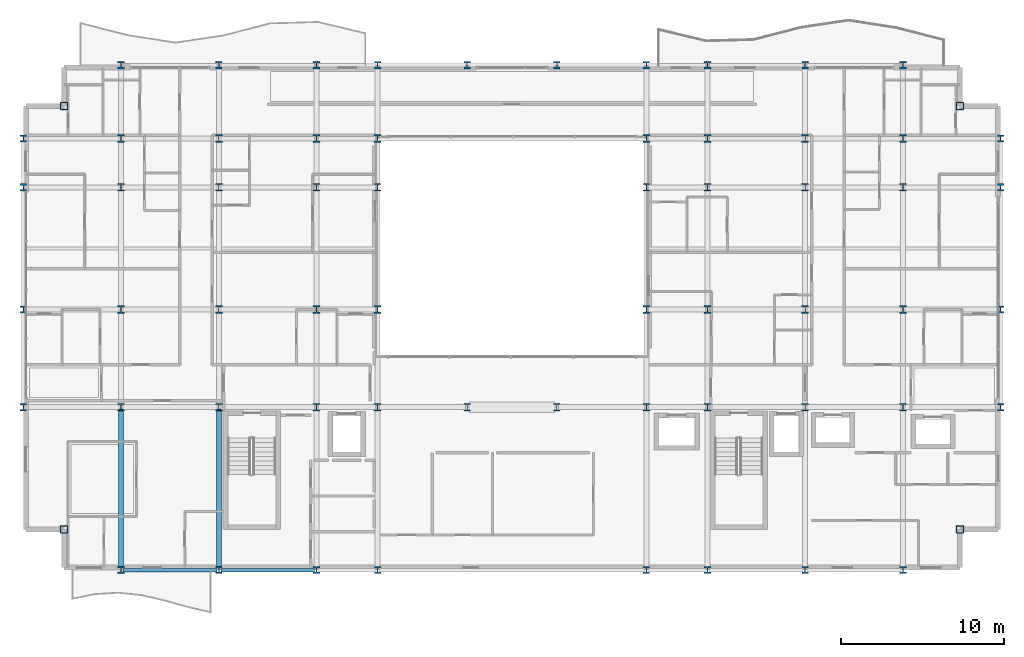
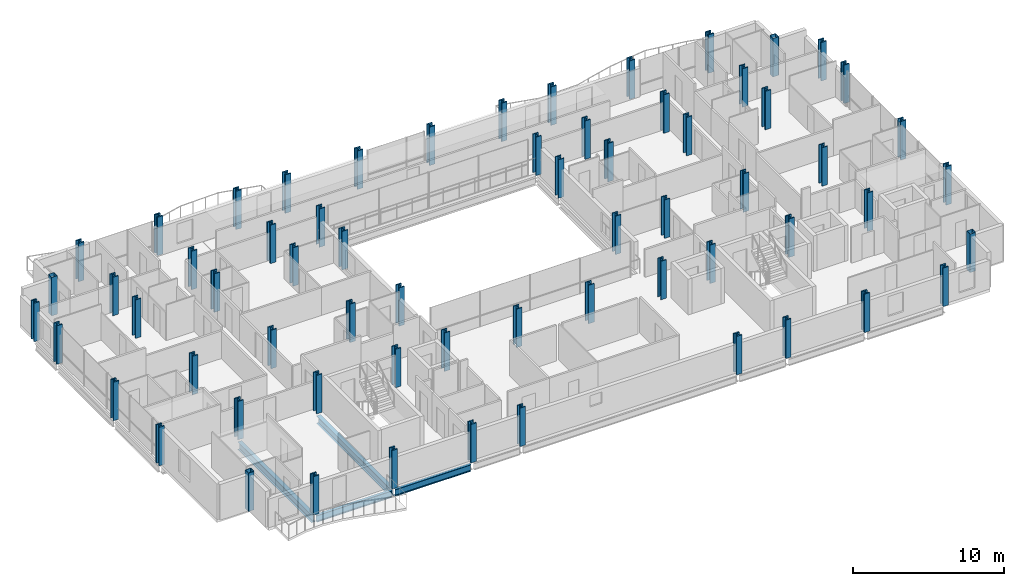
# One storey, part 1 of 41: 64 columns, 4 beams.
"""IFC4 building model written with IfcOpenShell, lengths in metres."""

import ifcopenshell
import ifcopenshell.guid

model = None  # the IFC model being written
_history = None  # IfcOwnerHistory: only IFC2X3 demands one
_inside = {}  # id of a spatial element -> (the spatial element, [elements in it])
_under = {}  # id of a project, library or spatial element -> (it, [spatial elements below it])
_declared = {}  # id of a project -> (the project, [libraries it declares])
_typed = {}  # id of a type object -> (the type object, [elements of that type])
_made_of = {}  # id of a material, layer set ... -> (it, [elements and type objects made of it])


def new_model(schema):
    """Start an empty IFC model of exactly this schema.

    Asked for "IFC4X3", IfcOpenShell would pick the latest addendum, in which some entities
    have other attributes; the version numbers below select the first issue.
    IFC2X3 requires an IfcOwnerHistory on every rooted entity: one is made here for all.
    """
    global model, _history
    if schema == "IFC4X3":
        model = ifcopenshell.file(schema_version=(4, 3, 0, 0))
    else:
        model = ifcopenshell.file(schema=schema)
    _inside.clear()
    _under.clear()
    _declared.clear()
    _typed.clear()
    _made_of.clear()
    _history = None
    if model.schema == "IFC2X3":
        org = make("IfcOrganization", Name="unknown")
        user = make(
            "IfcPersonAndOrganization",
            ThePerson=make("IfcPerson", FamilyName="unknown"),
            TheOrganization=org,
        )
        app = make(
            "IfcApplication",
            ApplicationDeveloper=org,
            Version="unknown",
            ApplicationFullName="unknown",
            ApplicationIdentifier="unknown",
        )
        _history = make(
            "IfcOwnerHistory",
            OwningUser=user,
            OwningApplication=app,
            ChangeAction="ADDED",
            CreationDate=0,
        )
    return model


def make(cls, **values):
    """One entity of the class cls with the attributes given. An attribute that is None is left unset."""
    return model.create_entity(
        cls, **{name: value for name, value in values.items() if value is not None}
    )


def rooted(cls, **values):
    """An entity with a GlobalId (a new one), such as an element, a storey or a relation."""
    return make(cls, GlobalId=ifcopenshell.guid.new(), OwnerHistory=_history, **values)


def si_unit(unit_type, name, prefix=None):
    """IfcSIUnit, for example si_unit("LENGTHUNIT", "METRE", prefix="MILLI")."""
    return make("IfcSIUnit", UnitType=unit_type, Prefix=prefix, Name=name)


def assignment(units):
    """IfcUnitAssignment: the units of a project."""
    return None if units is None else make("IfcUnitAssignment", Units=units)


def point(xyz):
    """IfcCartesianPoint."""
    return None if xyz is None else make("IfcCartesianPoint", Coordinates=xyz)


def direction(xyz):
    """IfcDirection."""
    return None if xyz is None else make("IfcDirection", DirectionRatios=xyz)


def frame(location, z_axis=None, x_axis=None):
    """IfcAxis2Placement3D, a coordinate frame: its origin and axes. An axis left out is left unset."""
    return make(
        "IfcAxis2Placement3D",
        Location=point(location),
        Axis=direction(z_axis),
        RefDirection=direction(x_axis),
    )


def frame_2d(location, x_axis=None):
    """IfcAxis2Placement2D, a coordinate frame in the plane: its origin and x axis."""
    return make(
        "IfcAxis2Placement2D", Location=point(location), RefDirection=direction(x_axis)
    )


def origin():
    """The frame at (0, 0, 0) with its axes left unset."""
    return frame((0.0, 0.0, 0.0))


def origin_2d():
    """The frame at (0, 0) in the plane with its x axis left unset."""
    return frame_2d((0.0, 0.0))


def place(relative_to, where):
    """IfcLocalPlacement: puts the frame where relative to a parent placement (None: the world)."""
    return make(
        "IfcLocalPlacement", PlacementRelTo=relative_to, RelativePlacement=where
    )


def context(
    kind, dimensions, precision=None, world=None, true_north=None, identifier=None
):
    """IfcGeometricRepresentationContext, for example the 3D "Model" context."""
    return make(
        "IfcGeometricRepresentationContext",
        ContextIdentifier=identifier,
        ContextType=kind,
        CoordinateSpaceDimension=dimensions,
        Precision=precision,
        WorldCoordinateSystem=world,
        TrueNorth=true_north,
    )


def subcontext(parent, identifier, kind, view, scale=None):
    """IfcGeometricRepresentationSubContext, for example "Body" below "Model"."""
    return make(
        "IfcGeometricRepresentationSubContext",
        ContextIdentifier=identifier,
        ContextType=kind,
        ParentContext=parent,
        TargetScale=scale,
        TargetView=view,
    )


def project(units=None, contexts=None):
    """IfcProject with its units and contexts."""
    return rooted(
        "IfcProject",
        Name="project",
        RepresentationContexts=contexts,
        UnitsInContext=assignment(units),
    )


def spatial(cls, under=None, at=None, **own):
    """A site, building, storey or space (cls), placed at a placement, below another one or the project."""
    s = rooted(cls, ObjectPlacement=at, **own)
    if under is not None:
        _under.setdefault(under.id(), (under, []))[1].append(s)
    return s


def profile(cls, at=None, kind="AREA", **sizes):
    """A parametric profile (cls). Its sizes go by their IFC names, for example OverallWidth=200.0."""
    return make(cls, ProfileType=kind, Position=at, **sizes)


def hollow_rectangle(**sizes):
    """IfcRectangleHollowProfileDef."""
    return profile("IfcRectangleHollowProfileDef", **sizes)


def i_section(**sizes):
    """IfcIShapeProfileDef."""
    return profile("IfcIShapeProfileDef", **sizes)


def extrude(swept, where, along, depth):
    """IfcExtrudedAreaSolid: the profile swept, set in the frame where, extruded along a direction by depth."""
    return make(
        "IfcExtrudedAreaSolid",
        SweptArea=swept,
        Position=where,
        ExtrudedDirection=direction(along),
        Depth=depth,
    )


def shape(context_of_items, identifier, shape_type, items):
    """IfcShapeRepresentation: the items that make up one representation, for example the "Body"."""
    return make(
        "IfcShapeRepresentation",
        ContextOfItems=context_of_items,
        RepresentationIdentifier=identifier,
        RepresentationType=shape_type,
        Items=items,
    )


def material(Name=None, Category=None):
    """IfcMaterial."""
    return make("IfcMaterial", Name=Name, Category=Category)


def material_profile(
    of_material, cross_section, Name=None, Category=None, Priority=None
):
    """IfcMaterialProfile: a cross section and its material."""
    return make(
        "IfcMaterialProfile",
        Name=Name,
        Material=of_material,
        Profile=cross_section,
        Priority=Priority,
        Category=Category,
    )


def profile_set(profiles, Name=None, composite=None):
    """IfcMaterialProfileSet."""
    return make(
        "IfcMaterialProfileSet",
        Name=Name,
        MaterialProfiles=profiles,
        CompositeProfile=composite,
    )


def made_of(thing, what):
    """Note that an element or type object is made of a material, layer set ...; save() writes the relation."""
    if what is not None:
        _made_of.setdefault(what.id(), (what, []))[1].append(thing)
    return thing


def type_object(cls, material=None, **own):
    """A type object (cls), such as IfcWallType, which elements share."""
    return made_of(rooted(cls, **own), material)


def element(
    cls,
    number,
    at=None,
    inside=None,
    cuts=None,
    type_object=None,
    material=None,
    context=None,
    identifier="Body",
    shape_type=None,
    held_by="IfcProductDefinitionShape",
    body=None,
    shapes=None,
    **own,
):
    """One element of the class cls, such as IfcWall. Its Tag is "e" and its number.

    at: its placement. inside: the storey or other place that contains it. cuts: it is an
    opening in that element (IfcRelVoidsElement). A single representation is given by context,
    identifier, shape_type and body (its items); several are given by shapes. held_by: the class
    of the entity that holds the representations. save() writes the other relations.
    """
    e = rooted(cls, Tag="e%d" % number, ObjectPlacement=at, **own)
    if body is not None:
        shapes = [shape(context, identifier, shape_type, body)]
    if shapes is not None:
        e.Representation = make(held_by, Representations=shapes)
    if inside is not None:
        _inside.setdefault(inside.id(), (inside, []))[1].append(e)
    if cuts is not None:
        rooted(
            "IfcRelVoidsElement", RelatingBuildingElement=cuts, RelatedOpeningElement=e
        )
    if type_object is not None:
        _typed.setdefault(type_object.id(), (type_object, []))[1].append(e)
    return made_of(e, material)


def aggregate(whole, parts):
    """IfcRelAggregates: a whole, such as a stair, and the parts it consists of."""
    return rooted("IfcRelAggregates", RelatingObject=whole, RelatedObjects=parts)


def save(model, path):
    """Write the relations noted so far, then the file.

    IfcRelAggregates (storeys below a building ...), IfcRelContainedInSpatialStructure (elements
    in a storey), IfcRelDefinesByType, IfcRelAssociatesMaterial and IfcRelDeclares: one each for
    every whole, place, type object, material and project.
    """
    for whole, parts in _under.values():
        aggregate(whole, parts)
    for where, things in _inside.values():
        rooted(
            "IfcRelContainedInSpatialStructure",
            RelatedElements=things,
            RelatingStructure=where,
        )
    for kind, things in _typed.values():
        rooted("IfcRelDefinesByType", RelatedObjects=things, RelatingType=kind)
    for what, things in _made_of.values():
        rooted("IfcRelAssociatesMaterial", RelatedObjects=things, RelatingMaterial=what)
    for by, libraries in _declared.values():
        rooted("IfcRelDeclares", RelatingContext=by, RelatedDefinitions=libraries)
    model.write(path)


model = new_model("IFC4")

# Units and contexts
model_context = context("Model", 3, precision=1e-05, world=origin(), true_north=direction((0.0, 1.0)))
body_context = subcontext(model_context, "Body", "Model", "MODEL_VIEW")
ifc_project = project(units=[si_unit("LENGTHUNIT", "METRE"), si_unit("AREAUNIT", "SQUARE_METRE"), si_unit("VOLUMEUNIT", "CUBIC_METRE"), si_unit("PLANEANGLEUNIT", "RADIAN"), si_unit("MASSUNIT", "GRAM", prefix="KILO")], contexts=[model_context])

# Site, building, storey
site_placement = place(None, origin())
site = spatial("IfcSite", under=ifc_project, at=site_placement, CompositionType="ELEMENT")
building_placement = place(site_placement, origin())
building = spatial("IfcBuilding", under=site, at=building_placement, Name="Brevholm Reach", CompositionType="ELEMENT")
storey_placement = place(building_placement, frame((0.0, 0.0, 55.89990234375)))
storey = spatial("IfcBuildingStorey", under=building, at=storey_placement, Name="L15", CompositionType="ELEMENT", Elevation=55.89990234375)

# Columns
ifc_material_1 = material(Name="Structural Steel S460ML", Category="steel")
ifc_material_profile_1 = material_profile(ifc_material_1, i_section(OverallWidth=0.4140625, OverallDepth=0.444091796875, WebThickness=0.060546875, FlangeThickness=0.096923828125, FilletRadius=0.014892578125, at=origin_2d()), Name="HD 400x818")
ifc_profile_set_1 = profile_set([ifc_material_profile_1], Name="Structural Steel S460ML")
column_type_1 = type_object("IfcColumnType", Name="COL-HD2", PredefinedType="COLUMN", material=ifc_profile_set_1)
for number, where, z_axis, x_axis, name in (
    (1, (0.0, 10.0, 0.0), (0.0, 0.0, 1.0), (1.0, 0.0, 0.0), "L15 Column 01"),
    (2, (0.0, 16.0, 0.0), (0.0, 0.0, 1.0), (1.0, 0.0, 0.0), "L15 Column 02"),
    (3, (0.0, 23.5, 0.0), (0.0, 0.0, 1.0), (1.0, 0.0, 0.0), "L15 Column 03"),
    (4, (0.0, 26.5, 0.0), (0.0, 0.0, 1.0), (1.0, 0.0, 0.0), "L15 Column 04"),
    (5, (6.0, 0.0, 0.0), (0.0, 0.0, 1.0), (1.0, 0.0, 0.0), "L15 Column 07"),
    (6, (6.0, 31.0, 0.0), (0.0, 0.0, 1.0), (1.0, 0.0, 0.0), "L15 Column 12"),
    (7, (12.0, 0.0, 0.0), (0.0, 0.0, 1.0), (1.0, 0.0, 0.0), "L15 Column 13"),
    (8, (12.0, 31.0, 0.0), (0.0, 0.0, 1.0), (1.0, 0.0, 0.0), "L15 Column 18"),
    (9, (18.0, 0.0, 0.0), (0.0, 0.0, 1.0), (1.0, 0.0, 0.0), "L15 Column 19"),
    (10, (18.0, 31.0, 0.0), (0.0, 0.0, 1.0), (1.0, 0.0, 0.0), "L15 Column 24"),
    (11, (21.75, 0.0, 0.0), (0.0, 0.0, 1.0), (1.0, 0.0, 0.0), "L15 Column 25"),
    (12, (21.75, 31.0, 0.0), (0.0, 0.0, 1.0), (1.0, 0.0, 0.0), "L15 Column 30"),
    (13, (27.25, 31.0, 0.0), (0.0, 0.0, 1.0), (1.0, 0.0, 0.0), "L15 Column 32"),
    (14, (32.75, 31.0, 0.0), (0.0, 0.0, 1.0), (1.0, 0.0, 0.0), "L15 Column 34"),
    (15, (38.25, 0.0, 0.0), (0.0, 0.0, 1.0), (1.0, 0.0, 0.0), "L15 Column 35"),
    (16, (38.25, 31.0, 0.0), (0.0, 0.0, 1.0), (1.0, 0.0, 0.0), "L15 Column 40"),
    (17, (42.0, 0.0, 0.0), (0.0, 0.0, 1.0), (1.0, 0.0, 0.0), "L15 Column 41"),
    (18, (42.0, 31.0, 0.0), (0.0, 0.0, 1.0), (1.0, 0.0, 0.0), "L15 Column 46"),
    (19, (48.0, 0.0, 0.0), (0.0, 0.0, 1.0), (1.0, 0.0, 0.0), "L15 Column 47"),
    (20, (48.0, 31.0, 0.0), (0.0, 0.0, 1.0), (1.0, 0.0, 0.0), "L15 Column 52"),
    (21, (54.0, 0.0, 0.0), (0.0, 0.0, 1.0), (1.0, 0.0, 0.0), "L15 Column 53"),
    (22, (54.0, 31.0, 0.0), (0.0, 0.0, 1.0), (1.0, 0.0, 0.0), "L15 Column 58"),
    (23, (60.0, 10.0, 0.0), (0.0, 0.0, 1.0), (1.0, 0.0, 0.0), "L15 Column 61"),
    (24, (60.0, 16.0, 0.0), (0.0, 0.0, 1.0), (1.0, 0.0, 0.0), "L15 Column 62"),
    (25, (60.0, 23.5, 0.0), (0.0, 0.0, 1.0), (1.0, 0.0, 0.0), "L15 Column 63"),
    (26, (60.0, 26.5, 0.0), (0.0, 0.0, 1.0), (1.0, 0.0, 0.0), "L15 Column 64"),
):
    element("IfcColumn", number, at=place(storey_placement, frame(where, z_axis=z_axis, x_axis=x_axis)), inside=storey, type_object=column_type_1, Name=name, PredefinedType="COLUMN", context=body_context, shape_type="SweptSolid", body=[
        extrude(i_section(OverallWidth=0.4140625, OverallDepth=0.444091796875, WebThickness=0.060546875, FlangeThickness=0.096923828125, FilletRadius=0.014892578125, at=origin_2d()), origin(), (0.0, 0.0, 1.0), 3.10009765625),
    ])
ifc_material_2 = material(Name="Structural Steel S460NH", Category="steel")
ifc_material_profile_2 = material_profile(ifc_material_2, hollow_rectangle(XDim=0.449951171875, YDim=0.449951171875, WallThickness=0.02490234375, InnerFilletRadius=0.011962890625, OuterFilletRadius=0.02392578125, at=origin_2d()), Name="SHS 450x450x25")
ifc_profile_set_2 = profile_set([ifc_material_profile_2], Name="Structural Steel S460NH")
column_type_2 = type_object("IfcColumnType", Name="COL-SHS1", PredefinedType="COLUMN", material=ifc_profile_set_2)
for number, where, z_axis, x_axis, name in (
    (27, (2.5, 2.5, 0.0), (0.0, 0.0, 1.0), (1.0, 0.0, 0.0), "L15 Column 05"),
    (28, (2.5, 28.5, 0.0), (0.0, 0.0, 1.0), (1.0, 0.0, 0.0), "L15 Column 06"),
    (29, (57.5, 2.5, 0.0), (0.0, 0.0, 1.0), (1.0, 0.0, 0.0), "L15 Column 59"),
    (30, (57.5, 28.5, 0.0), (0.0, 0.0, 1.0), (1.0, 0.0, 0.0), "L15 Column 60"),
):
    element("IfcColumn", number, at=place(storey_placement, frame(where, z_axis=z_axis, x_axis=x_axis)), inside=storey, type_object=column_type_2, Name=name, PredefinedType="COLUMN", context=body_context, shape_type="SweptSolid", body=[
        extrude(hollow_rectangle(XDim=0.449951171875, YDim=0.449951171875, WallThickness=0.02490234375, InnerFilletRadius=0.011962890625, OuterFilletRadius=0.02392578125, at=origin_2d()), origin(), (0.0, 0.0, 1.0), 3.10009765625),
    ])
ifc_material_3 = material(Name="Structural Steel S460ML", Category="steel")
ifc_material_profile_3 = material_profile(ifc_material_3, i_section(OverallWidth=0.424072265625, OverallDepth=0.474609375, WebThickness=0.047607421875, FlangeThickness=0.076904296875, FilletRadius=0.01513671875, at=origin_2d()), Name="UKC 356x406x634")
ifc_profile_set_3 = profile_set([ifc_material_profile_3], Name="Structural Steel S460ML")
column_type_3 = type_object("IfcColumnType", Name="COL-UC1", PredefinedType="COLUMN", material=ifc_profile_set_3)
for number, where, z_axis, x_axis, name in (
    (31, (6.0, 10.0, 0.0), (0.0, 0.0, 1.0), (1.0, 0.0, 0.0), "L15 Column 08"),
    (32, (6.0, 16.0, 0.0), (0.0, 0.0, 1.0), (1.0, 0.0, 0.0), "L15 Column 09"),
    (33, (6.0, 23.5, 0.0), (0.0, 0.0, 1.0), (1.0, 0.0, 0.0), "L15 Column 10"),
    (34, (6.0, 26.5, 0.0), (0.0, 0.0, 1.0), (1.0, 0.0, 0.0), "L15 Column 11"),
    (35, (12.0, 10.0, 0.0), (0.0, 0.0, 1.0), (1.0, 0.0, 0.0), "L15 Column 14"),
    (36, (12.0, 16.0, 0.0), (0.0, 0.0, 1.0), (1.0, 0.0, 0.0), "L15 Column 15"),
    (37, (12.0, 23.5, 0.0), (0.0, 0.0, 1.0), (1.0, 0.0, 0.0), "L15 Column 16"),
    (38, (12.0, 26.5, 0.0), (0.0, 0.0, 1.0), (1.0, 0.0, 0.0), "L15 Column 17"),
    (39, (18.0, 10.0, 0.0), (0.0, 0.0, 1.0), (1.0, 0.0, 0.0), "L15 Column 20"),
    (40, (18.0, 16.0, 0.0), (0.0, 0.0, 1.0), (1.0, 0.0, 0.0), "L15 Column 21"),
    (41, (18.0, 23.5, 0.0), (0.0, 0.0, 1.0), (1.0, 0.0, 0.0), "L15 Column 22"),
    (42, (18.0, 26.5, 0.0), (0.0, 0.0, 1.0), (1.0, 0.0, 0.0), "L15 Column 23"),
    (43, (21.75, 10.0, 0.0), (0.0, 0.0, 1.0), (1.0, 0.0, 0.0), "L15 Column 26"),
    (44, (21.75, 16.0, 0.0), (0.0, 0.0, 1.0), (1.0, 0.0, 0.0), "L15 Column 27"),
    (45, (21.75, 23.5, 0.0), (0.0, 0.0, 1.0), (1.0, 0.0, 0.0), "L15 Column 28"),
    (46, (21.75, 26.5, 0.0), (0.0, 0.0, 1.0), (1.0, 0.0, 0.0), "L15 Column 29"),
    (47, (27.25, 10.0, 0.0), (0.0, 0.0, 1.0), (1.0, 0.0, 0.0), "L15 Column 31"),
    (48, (32.75, 10.0, 0.0), (0.0, 0.0, 1.0), (1.0, 0.0, 0.0), "L15 Column 33"),
    (49, (38.25, 10.0, 0.0), (0.0, 0.0, 1.0), (1.0, 0.0, 0.0), "L15 Column 36"),
    (50, (38.25, 16.0, 0.0), (0.0, 0.0, 1.0), (1.0, 0.0, 0.0), "L15 Column 37"),
    (51, (38.25, 23.5, 0.0), (0.0, 0.0, 1.0), (1.0, 0.0, 0.0), "L15 Column 38"),
    (52, (38.25, 26.5, 0.0), (0.0, 0.0, 1.0), (1.0, 0.0, 0.0), "L15 Column 39"),
    (53, (42.0, 10.0, 0.0), (0.0, 0.0, 1.0), (1.0, 0.0, 0.0), "L15 Column 42"),
    (54, (42.0, 16.0, 0.0), (0.0, 0.0, 1.0), (1.0, 0.0, 0.0), "L15 Column 43"),
    (55, (42.0, 23.5, 0.0), (0.0, 0.0, 1.0), (1.0, 0.0, 0.0), "L15 Column 44"),
    (56, (42.0, 26.5, 0.0), (0.0, 0.0, 1.0), (1.0, 0.0, 0.0), "L15 Column 45"),
    (57, (48.0, 10.0, 0.0), (0.0, 0.0, 1.0), (1.0, 0.0, 0.0), "L15 Column 48"),
    (58, (48.0, 16.0, 0.0), (0.0, 0.0, 1.0), (1.0, 0.0, 0.0), "L15 Column 49"),
    (59, (48.0, 23.5, 0.0), (0.0, 0.0, 1.0), (1.0, 0.0, 0.0), "L15 Column 50"),
    (60, (48.0, 26.5, 0.0), (0.0, 0.0, 1.0), (1.0, 0.0, 0.0), "L15 Column 51"),
    (61, (54.0, 10.0, 0.0), (0.0, 0.0, 1.0), (1.0, 0.0, 0.0), "L15 Column 54"),
    (62, (54.0, 16.0, 0.0), (0.0, 0.0, 1.0), (1.0, 0.0, 0.0), "L15 Column 55"),
    (63, (54.0, 23.5, 0.0), (0.0, 0.0, 1.0), (1.0, 0.0, 0.0), "L15 Column 56"),
    (64, (54.0, 26.5, 0.0), (0.0, 0.0, 1.0), (1.0, 0.0, 0.0), "L15 Column 57"),
):
    element("IfcColumn", number, at=place(storey_placement, frame(where, z_axis=z_axis, x_axis=x_axis)), inside=storey, type_object=column_type_3, Name=name, PredefinedType="COLUMN", context=body_context, shape_type="SweptSolid", body=[
        extrude(i_section(OverallWidth=0.424072265625, OverallDepth=0.474609375, WebThickness=0.047607421875, FlangeThickness=0.076904296875, FilletRadius=0.01513671875, at=origin_2d()), origin(), (0.0, 0.0, 1.0), 3.10009765625),
    ])

# Beams
ifc_material_4 = material(Name="Structural Steel S355J2", Category="steel")
ifc_material_profile_4 = material_profile(ifc_material_4, i_section(OverallWidth=0.210693359375, OverallDepth=0.53955078125, WebThickness=0.01171875, FlangeThickness=0.018798828125, FilletRadius=0.0126953125, at=origin_2d()), Name="UKB 533x210x109")
ifc_profile_set_4 = profile_set([ifc_material_profile_4], Name="Structural Steel S355J2")
beam_type_1 = type_object("IfcBeamType", Name="BM-SP539", PredefinedType="SPANDREL", material=ifc_profile_set_4)
for number, where, z_axis, x_axis, name in (
    (65, (6.1201171875, 0.0, -0.499755859375), (1.0, 0.0, 0.0), (0.0, 1.0, 0.0), "L15 SP-01B Framing Beam"),
    (66, (12.1201171875, 0.0, -0.499755859375), (1.0, 0.0, 0.0), (0.0, 1.0, 0.0), "L15 SP-01B Framing Beam"),
):
    element("IfcBeam", number, at=place(storey_placement, frame(where, z_axis=z_axis, x_axis=x_axis)), inside=storey, type_object=beam_type_1, Name=name, PredefinedType="SPANDREL", context=body_context, shape_type="SweptSolid", body=[
        extrude(i_section(OverallWidth=0.210693359375, OverallDepth=0.53955078125, WebThickness=0.01171875, FlangeThickness=0.018798828125, FilletRadius=0.0126953125, at=origin_2d()), origin(), (0.0, 0.0, 1.0), 5.759765625),
    ])
ifc_material_5 = material(Name="Structural Steel S355J2", Category="steel")
ifc_material_profile_5 = material_profile(ifc_material_5, i_section(OverallWidth=0.30712890625, OverallDepth=0.6201171875, WebThickness=0.01416015625, FlangeThickness=0.023681640625, FilletRadius=0.0166015625, at=origin_2d()), Name="UKB 610x305x179")
ifc_profile_set_5 = profile_set([ifc_material_profile_5], Name="Structural Steel S355J2")
beam_type_2 = type_object("IfcBeamType", Name="BM-UKB610H", PredefinedType="USERDEFINED", material=ifc_profile_set_5)
for number, where, z_axis, x_axis, name in (
    (67, (6.0, 0.1201171875, -0.5400390625), (0.0, 1.0, 0.0), (-1.0, 0.0, 0.0), "L15 G-06 Framing Beam"),
    (68, (12.0, 0.1201171875, -0.5400390625), (0.0, 1.0, 0.0), (-1.0, 0.0, 0.0), "L15 G-06 Framing Beam"),
):
    element("IfcBeam", number, at=place(storey_placement, frame(where, z_axis=z_axis, x_axis=x_axis)), inside=storey, type_object=beam_type_2, Name=name, ObjectType="GIRDER", PredefinedType="USERDEFINED", context=body_context, shape_type="SweptSolid", body=[
        extrude(i_section(OverallWidth=0.30712890625, OverallDepth=0.6201171875, WebThickness=0.01416015625, FlangeThickness=0.023681640625, FilletRadius=0.0166015625, at=origin_2d()), origin(), (0.0, 0.0, 1.0), 9.759765625),
    ])

save(model, "model.ifc")
